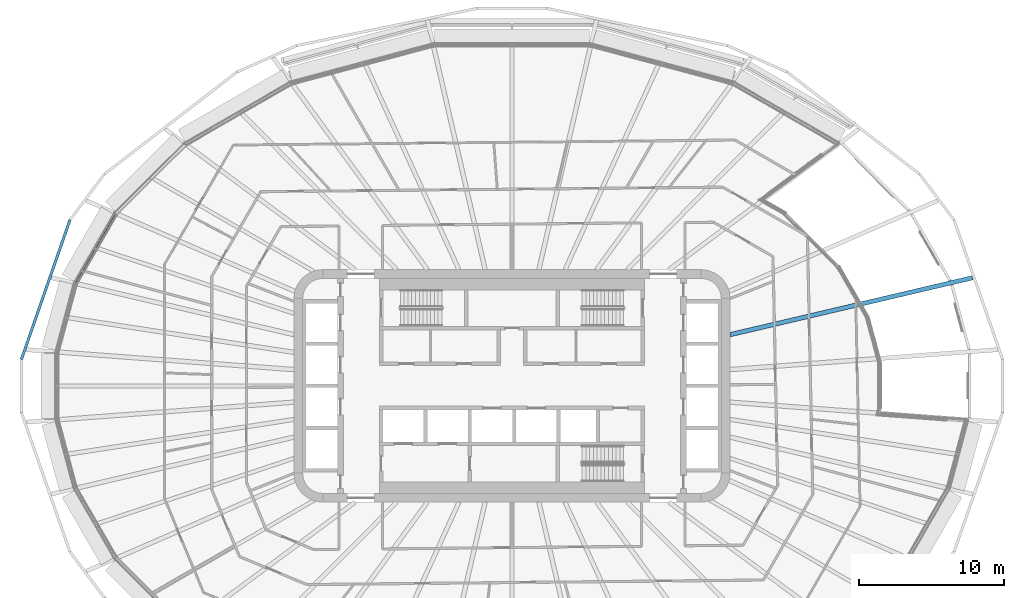
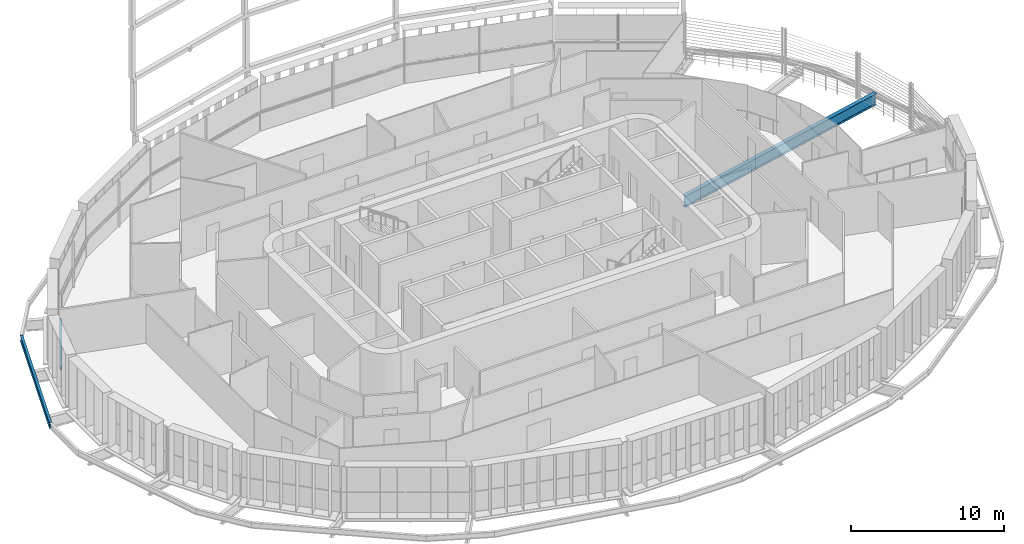
# One storey, part 6 of 28: 3 beams.
"""IFC4 building model written with IfcOpenShell, lengths in metres."""

from ifc_helpers import new_model, si_unit, direction, frame, origin, origin_2d, place, context, subcontext, project, spatial, i_section, extrude, material, material_profile, profile_set, type_object, element, save


model = new_model("IFC4")

# Units and contexts
model_context = context("Model", 3, precision=1e-05, world=origin(), true_north=direction((0.0, 1.0)))
body_context = subcontext(model_context, "Body", "Model", "MODEL_VIEW")
ifc_project = project(units=[si_unit("LENGTHUNIT", "METRE"), si_unit("AREAUNIT", "SQUARE_METRE"), si_unit("VOLUMEUNIT", "CUBIC_METRE"), si_unit("PLANEANGLEUNIT", "RADIAN"), si_unit("MASSUNIT", "GRAM", prefix="KILO")], contexts=[model_context])

# Site, building, storey
site_placement = place(None, origin())
site = spatial("IfcSite", under=ifc_project, at=site_placement, CompositionType="ELEMENT")
building_placement = place(site_placement, origin())
building = spatial("IfcBuilding", under=site, at=building_placement, Name="Sahrelin Media Tower", CompositionType="ELEMENT")
storey_placement = place(building_placement, frame((0.0, 0.0, 75.60009765625)))
storey = spatial("IfcBuildingStorey", under=building, at=storey_placement, Name="L13", CompositionType="ELEMENT", Elevation=75.60009765625)

# Beams
ifc_material = material(Name="Steel S355", Category="steel")
ifc_material_profile_1 = material_profile(ifc_material, i_section(OverallWidth=0.1650390625, OverallDepth=0.303466796875, WebThickness=0.006103515625, FlangeThickness=0.01025390625, FilletRadius=0.0087890625, at=origin_2d()), Name="UB 305x165x40")
ifc_profile_set_1 = profile_set([ifc_material_profile_1], Name="Steel S355")
beam_type_1 = type_object("IfcBeamType", Name="Edge beam EB2", PredefinedType="BEAM", material=ifc_profile_set_1)
beam_1_placement = place(storey_placement, frame((-29.95703125, 7.022705078125, -0.3017578125), z_axis=(0.499990020211, 0.866031165542, 0.0), x_axis=(-0.866031165542, 0.499990020211, 0.0)))
element("IfcBeam", 1, at=beam_1_placement, inside=storey, type_object=beam_type_1, Name="Edge beam L13-14", PredefinedType="BEAM", context=body_context, shape_type="SweptSolid", body=[
    extrude(i_section(OverallWidth=0.1650390625, OverallDepth=0.303466796875, WebThickness=0.006103515625, FlangeThickness=0.01025390625, FilletRadius=0.0087890625, at=origin_2d()), origin(), (0.0, 0.0, 1.0), 5.50244140625),
])
ifc_material_profile_2 = material_profile(ifc_material, i_section(OverallWidth=0.30322265625, OverallDepth=0.903076171875, WebThickness=0.01513671875, FlangeThickness=0.020263671875, FilletRadius=0.01904296875, at=origin_2d()), Name="UB 914x305x201")
ifc_profile_set_2 = profile_set([ifc_material_profile_2], Name="Steel S355")
beam_type_2 = type_object("IfcBeamType", Name="Radial primary beam PB11", PredefinedType="BEAM", material=ifc_profile_set_2)
beam_2_placement = place(storey_placement, frame((15.0, 3.521728515625, -0.6015625), z_axis=(0.973524160463, 0.228584139859, 0.0), x_axis=(-0.228584139859, 0.973524160463, 0.0)))
element("IfcBeam", 2, at=beam_2_placement, inside=storey, type_object=beam_type_2, Name="Radial beam L13-02", PredefinedType="BEAM", context=body_context, shape_type="SweptSolid", body=[
    extrude(i_section(OverallWidth=0.30322265625, OverallDepth=0.903076171875, WebThickness=0.01513671875, FlangeThickness=0.020263671875, FilletRadius=0.01904296875, at=origin_2d()), origin(), (0.0, 0.0, 1.0), 17.130615234375),
])
ifc_material_profile_3 = material_profile(ifc_material, i_section(OverallWidth=0.1904296875, OverallDepth=0.45703125, WebThickness=0.009033203125, FlangeThickness=0.014404296875, FilletRadius=0.01025390625, at=origin_2d()), Name="UB 457x191x74")
ifc_profile_set_3 = profile_set([ifc_material_profile_3], Name="Steel S355")
beam_type_3 = type_object("IfcBeamType", Name="Tie chord TC5", PredefinedType="BEAM", material=ifc_profile_set_3)
beam_3_placement = place(storey_placement, frame((-30.3955078125, 11.40771484375, -0.378662109375), z_axis=(-0.328772402229, -0.944409184375, 0.0), x_axis=(0.944409184375, -0.328772402229, 0.0)))
element("IfcBeam", 3, at=beam_3_placement, inside=storey, type_object=beam_type_3, Name="Tie chord L13-11", PredefinedType="BEAM", context=body_context, shape_type="SweptSolid", body=[
    extrude(i_section(OverallWidth=0.1904296875, OverallDepth=0.45703125, WebThickness=0.009033203125, FlangeThickness=0.014404296875, FilletRadius=0.01025390625, at=origin_2d()), origin(), (0.0, 0.0, 1.0), 10.154052734375),
])

save(model, "model.ifc")
